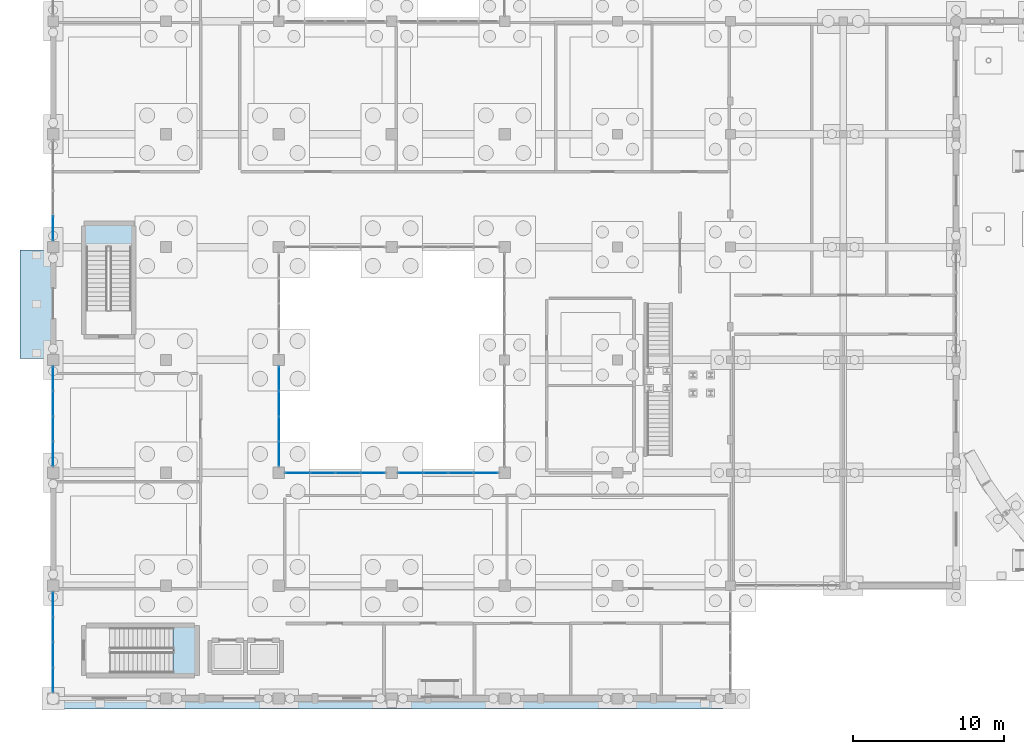
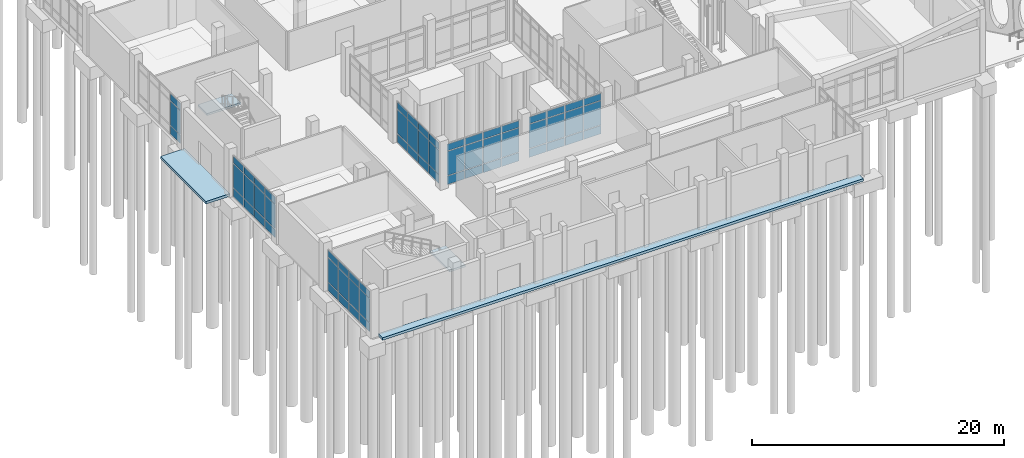
# One storey, part 124 of 173: 63 plates, 4 slabs, 8 elements without a shape of their own.
"""IFC4 building model written with IfcOpenShell, lengths in metres."""

import ifcopenshell
import ifcopenshell.guid

model = None  # the IFC model being written
_history = None  # IfcOwnerHistory: only IFC2X3 demands one
_inside = {}  # id of a spatial element -> (the spatial element, [elements in it])
_under = {}  # id of a project, library or spatial element -> (it, [spatial elements below it])
_declared = {}  # id of a project -> (the project, [libraries it declares])
_typed = {}  # id of a type object -> (the type object, [elements of that type])
_made_of = {}  # id of a material, layer set ... -> (it, [elements and type objects made of it])


def new_model(schema):
    """Start an empty IFC model of exactly this schema.

    Asked for "IFC4X3", IfcOpenShell would pick the latest addendum, in which some entities
    have other attributes; the version numbers below select the first issue.
    IFC2X3 requires an IfcOwnerHistory on every rooted entity: one is made here for all.
    """
    global model, _history
    if schema == "IFC4X3":
        model = ifcopenshell.file(schema_version=(4, 3, 0, 0))
    else:
        model = ifcopenshell.file(schema=schema)
    _inside.clear()
    _under.clear()
    _declared.clear()
    _typed.clear()
    _made_of.clear()
    _history = None
    if model.schema == "IFC2X3":
        org = make("IfcOrganization", Name="unknown")
        user = make(
            "IfcPersonAndOrganization",
            ThePerson=make("IfcPerson", FamilyName="unknown"),
            TheOrganization=org,
        )
        app = make(
            "IfcApplication",
            ApplicationDeveloper=org,
            Version="unknown",
            ApplicationFullName="unknown",
            ApplicationIdentifier="unknown",
        )
        _history = make(
            "IfcOwnerHistory",
            OwningUser=user,
            OwningApplication=app,
            ChangeAction="ADDED",
            CreationDate=0,
        )
    return model


def make(cls, **values):
    """One entity of the class cls with the attributes given. An attribute that is None is left unset."""
    return model.create_entity(
        cls, **{name: value for name, value in values.items() if value is not None}
    )


def rooted(cls, **values):
    """An entity with a GlobalId (a new one), such as an element, a storey or a relation."""
    return make(cls, GlobalId=ifcopenshell.guid.new(), OwnerHistory=_history, **values)


def si_unit(unit_type, name, prefix=None):
    """IfcSIUnit, for example si_unit("LENGTHUNIT", "METRE", prefix="MILLI")."""
    return make("IfcSIUnit", UnitType=unit_type, Prefix=prefix, Name=name)


def assignment(units):
    """IfcUnitAssignment: the units of a project."""
    return None if units is None else make("IfcUnitAssignment", Units=units)


def point(xyz):
    """IfcCartesianPoint."""
    return None if xyz is None else make("IfcCartesianPoint", Coordinates=xyz)


def direction(xyz):
    """IfcDirection."""
    return None if xyz is None else make("IfcDirection", DirectionRatios=xyz)


def frame(location, z_axis=None, x_axis=None):
    """IfcAxis2Placement3D, a coordinate frame: its origin and axes. An axis left out is left unset."""
    return make(
        "IfcAxis2Placement3D",
        Location=point(location),
        Axis=direction(z_axis),
        RefDirection=direction(x_axis),
    )


def frame_2d(location, x_axis=None):
    """IfcAxis2Placement2D, a coordinate frame in the plane: its origin and x axis."""
    return make(
        "IfcAxis2Placement2D", Location=point(location), RefDirection=direction(x_axis)
    )


def origin():
    """The frame at (0, 0, 0) with its axes left unset."""
    return frame((0.0, 0.0, 0.0))


def origin_2d():
    """The frame at (0, 0) in the plane with its x axis left unset."""
    return frame_2d((0.0, 0.0))


def place(relative_to, where):
    """IfcLocalPlacement: puts the frame where relative to a parent placement (None: the world)."""
    return make(
        "IfcLocalPlacement", PlacementRelTo=relative_to, RelativePlacement=where
    )


def context(
    kind, dimensions, precision=None, world=None, true_north=None, identifier=None
):
    """IfcGeometricRepresentationContext, for example the 3D "Model" context."""
    return make(
        "IfcGeometricRepresentationContext",
        ContextIdentifier=identifier,
        ContextType=kind,
        CoordinateSpaceDimension=dimensions,
        Precision=precision,
        WorldCoordinateSystem=world,
        TrueNorth=true_north,
    )


def subcontext(parent, identifier, kind, view, scale=None):
    """IfcGeometricRepresentationSubContext, for example "Body" below "Model"."""
    return make(
        "IfcGeometricRepresentationSubContext",
        ContextIdentifier=identifier,
        ContextType=kind,
        ParentContext=parent,
        TargetScale=scale,
        TargetView=view,
    )


def project(units=None, contexts=None):
    """IfcProject with its units and contexts."""
    return rooted(
        "IfcProject",
        Name="project",
        RepresentationContexts=contexts,
        UnitsInContext=assignment(units),
    )


def spatial(cls, under=None, at=None, **own):
    """A site, building, storey or space (cls), placed at a placement, below another one or the project."""
    s = rooted(cls, ObjectPlacement=at, **own)
    if under is not None:
        _under.setdefault(under.id(), (under, []))[1].append(s)
    return s


def polyline(points):
    """IfcPolyline through the points."""
    return make("IfcPolyline", Points=[point(p) for p in points])


def profile(cls, at=None, kind="AREA", **sizes):
    """A parametric profile (cls). Its sizes go by their IFC names, for example OverallWidth=200.0."""
    return make(cls, ProfileType=kind, Position=at, **sizes)


def rectangle(**sizes):
    """IfcRectangleProfileDef."""
    return profile("IfcRectangleProfileDef", **sizes)


def outline(outer, holes=None, kind="AREA"):
    """IfcArbitraryClosedProfileDef: a profile drawn as a closed curve; with holes, ...WithVoids."""
    if holes is None:
        return make("IfcArbitraryClosedProfileDef", ProfileType=kind, OuterCurve=outer)
    return make(
        "IfcArbitraryProfileDefWithVoids",
        ProfileType=kind,
        OuterCurve=outer,
        InnerCurves=holes,
    )


def extrude(swept, where, along, depth):
    """IfcExtrudedAreaSolid: the profile swept, set in the frame where, extruded along a direction by depth."""
    return make(
        "IfcExtrudedAreaSolid",
        SweptArea=swept,
        Position=where,
        ExtrudedDirection=direction(along),
        Depth=depth,
    )


def shape(context_of_items, identifier, shape_type, items):
    """IfcShapeRepresentation: the items that make up one representation, for example the "Body"."""
    return make(
        "IfcShapeRepresentation",
        ContextOfItems=context_of_items,
        RepresentationIdentifier=identifier,
        RepresentationType=shape_type,
        Items=items,
    )


def material(Name=None, Category=None):
    """IfcMaterial."""
    return make("IfcMaterial", Name=Name, Category=Category)


def layer(
    of_material, thickness, ventilated=None, Name=None, Category=None, Priority=None
):
    """IfcMaterialLayer: one layer of a wall or slab, of a material (None: an air gap)."""
    return make(
        "IfcMaterialLayer",
        Material=of_material,
        LayerThickness=thickness,
        IsVentilated=ventilated,
        Name=Name,
        Category=Category,
        Priority=Priority,
    )


def layer_set(layers, Name=None):
    """IfcMaterialLayerSet."""
    return make("IfcMaterialLayerSet", MaterialLayers=layers, LayerSetName=Name)


def made_of(thing, what):
    """Note that an element or type object is made of a material, layer set ...; save() writes the relation."""
    if what is not None:
        _made_of.setdefault(what.id(), (what, []))[1].append(thing)
    return thing


def type_object(cls, material=None, **own):
    """A type object (cls), such as IfcWallType, which elements share."""
    return made_of(rooted(cls, **own), material)


def element(
    cls,
    number,
    at=None,
    inside=None,
    cuts=None,
    type_object=None,
    material=None,
    context=None,
    identifier="Body",
    shape_type=None,
    held_by="IfcProductDefinitionShape",
    body=None,
    shapes=None,
    **own,
):
    """One element of the class cls, such as IfcWall. Its Tag is "e" and its number.

    at: its placement. inside: the storey or other place that contains it. cuts: it is an
    opening in that element (IfcRelVoidsElement). A single representation is given by context,
    identifier, shape_type and body (its items); several are given by shapes. held_by: the class
    of the entity that holds the representations. save() writes the other relations.
    """
    e = rooted(cls, Tag="e%d" % number, ObjectPlacement=at, **own)
    if body is not None:
        shapes = [shape(context, identifier, shape_type, body)]
    if shapes is not None:
        e.Representation = make(held_by, Representations=shapes)
    if inside is not None:
        _inside.setdefault(inside.id(), (inside, []))[1].append(e)
    if cuts is not None:
        rooted(
            "IfcRelVoidsElement", RelatingBuildingElement=cuts, RelatedOpeningElement=e
        )
    if type_object is not None:
        _typed.setdefault(type_object.id(), (type_object, []))[1].append(e)
    return made_of(e, material)


def aggregate(whole, parts):
    """IfcRelAggregates: a whole, such as a stair, and the parts it consists of."""
    return rooted("IfcRelAggregates", RelatingObject=whole, RelatedObjects=parts)


def save(model, path):
    """Write the relations noted so far, then the file.

    IfcRelAggregates (storeys below a building ...), IfcRelContainedInSpatialStructure (elements
    in a storey), IfcRelDefinesByType, IfcRelAssociatesMaterial and IfcRelDeclares: one each for
    every whole, place, type object, material and project.
    """
    for whole, parts in _under.values():
        aggregate(whole, parts)
    for where, things in _inside.values():
        rooted(
            "IfcRelContainedInSpatialStructure",
            RelatedElements=things,
            RelatingStructure=where,
        )
    for kind, things in _typed.values():
        rooted("IfcRelDefinesByType", RelatedObjects=things, RelatingType=kind)
    for what, things in _made_of.values():
        rooted("IfcRelAssociatesMaterial", RelatedObjects=things, RelatingMaterial=what)
    for by, libraries in _declared.values():
        rooted("IfcRelDeclares", RelatingContext=by, RelatedDefinitions=libraries)
    model.write(path)


model = new_model("IFC4")

# Units and contexts
model_context = context("Model", 3, precision=1e-05, world=origin(), true_north=direction((0.0, 1.0)))
body_context = subcontext(model_context, "Body", "Model", "MODEL_VIEW")
ifc_project = project(units=[si_unit("LENGTHUNIT", "METRE"), si_unit("AREAUNIT", "SQUARE_METRE"), si_unit("VOLUMEUNIT", "CUBIC_METRE"), si_unit("PLANEANGLEUNIT", "RADIAN"), si_unit("MASSUNIT", "GRAM", prefix="KILO")], contexts=[model_context])

# Site, building, storey
site_placement = place(None, origin())
site = spatial("IfcSite", under=ifc_project, at=site_placement, CompositionType="ELEMENT")
building_placement = place(site_placement, origin())
building = spatial("IfcBuilding", under=site, at=building_placement, Name="Mawjan Specialist Oncology Clinic", CompositionType="ELEMENT")
storey_placement = place(building_placement, origin())
storey = spatial("IfcBuildingStorey", under=building, at=storey_placement, Name="L00", CompositionType="ELEMENT", Elevation=0.0)

# Slabs
ifc_material_1 = material(Name="Concrete C40/50", Category="concrete")
ifc_layer_1 = layer(ifc_material_1, 0.25, Name="Concrete C40/50", Category="concrete")
ifc_layer_set_1 = layer_set([ifc_layer_1], Name="Concrete C40/50")
slab_type_1 = type_object("IfcSlabType", Name="AP-250", PredefinedType="BASESLAB", material=ifc_layer_set_1)
slab_1_placement = place(storey_placement, frame((0.0, 0.0, -0.25)))
element("IfcSlab", 1, at=slab_1_placement, inside=storey, type_object=slab_type_1, Name="Ground Exterior Paved Apron SLB-APR-S1", PredefinedType="BASESLAB", context=body_context, shape_type="SweptSolid", body=[
    extrude(outline(polyline([(0.5, 0.10009765625), (44.5, 0.10009765625), (44.5, 0.800048828125), (0.5, 0.800048828125), (0.5, 0.10009765625)])), origin(), (0.0, 0.0, 1.0), 0.25),
])
slab_2_placement = place(storey_placement, frame((0.0, 0.0, -0.25)))
element("IfcSlab", 2, at=slab_2_placement, inside=storey, type_object=slab_type_1, Name="Ground Exterior Paved Apron SLB-APR-W1", PredefinedType="BASESLAB", context=body_context, shape_type="SweptSolid", body=[
    extrude(outline(polyline([(-2.199951171875, 23.39990234375), (0.0, 23.39990234375), (0.0, 30.60009765625), (-2.199951171875, 30.60009765625), (-2.199951171875, 23.39990234375)])), origin(), (0.0, 0.0, 1.0), 0.25),
])

# Curtain wall, plates
ifc_material_2 = material(Name="Unitised spectrally selective aluminium curtain wall", Category="aluminium")
ifc_layer_2 = layer(ifc_material_2, 0.179931640625, Name="Unitised spectrally selective aluminium curtain wall", Category="aluminium")
ifc_layer_set_2 = layer_set([ifc_layer_2], Name="Unitised spectrally selective aluminium curtain wall")
curtain_wall_type = type_object("IfcCurtainWallType", Name="CW-02", PredefinedType="NOTDEFINED", material=ifc_layer_set_2)
curtain_wall_1_placement = place(storey_placement, origin())
curtain_wall_1 = element("IfcCurtainWall", 3, at=curtain_wall_1_placement, inside=storey, type_object=curtain_wall_type, Name="L00 Unitised Curtain Wall CW-L00-002", PredefinedType="NOTDEFINED")
ifc_material_3 = material(Name="Spectrally selective double low-E glazing", Category="glass")
ifc_layer_3 = layer(ifc_material_3, 0.035888671875, Name="Spectrally selective double low-E glazing", Category="glass")
ifc_layer_set_3 = layer_set([ifc_layer_3], Name="Spectrally selective double low-E glazing")
plate_type = type_object("IfcPlateType", Name="CW-P36", PredefinedType="CURTAIN_PANEL", material=ifc_layer_set_3)
plate_1_placement = place(storey_placement, frame((0.0, 2.050048828125, 0.06494140625), z_axis=(0.0, 0.0, 1.0), x_axis=(0.0, 1.0, 0.0)))
plate_1 = element("IfcPlate", 4, at=plate_1_placement, type_object=plate_type, Name="CW-02 panel 1.1", PredefinedType="CURTAIN_PANEL", context=body_context, shape_type="SweptSolid", body=[
    extrude(rectangle(XDim=1.580078125, YDim=0.035888671875, at=origin_2d()), origin(), (0.0, 0.0, 1.0), 0.802490234375),
])
plate_2_placement = place(storey_placement, frame((0.0, 2.050048828125, 0.9326171875), z_axis=(0.0, 0.0, 1.0), x_axis=(0.0, 1.0, 0.0)))
plate_2 = element("IfcPlate", 5, at=plate_2_placement, type_object=plate_type, Name="CW-02 panel 1.2", PredefinedType="CURTAIN_PANEL", context=body_context, shape_type="SweptSolid", body=[
    extrude(rectangle(XDim=1.580078125, YDim=0.035888671875, at=origin_2d()), origin(), (0.0, 0.0, 1.0), 2.320068359375),
])
plate_3_placement = place(storey_placement, frame((0.0, 2.050048828125, 3.3173828125), z_axis=(0.0, 0.0, 1.0), x_axis=(0.0, 1.0, 0.0)))
plate_3 = element("IfcPlate", 6, at=plate_3_placement, type_object=plate_type, Name="CW-02 panel 1.3", PredefinedType="CURTAIN_PANEL", context=body_context, shape_type="SweptSolid", body=[
    extrude(rectangle(XDim=1.580078125, YDim=0.035888671875, at=origin_2d()), origin(), (0.0, 0.0, 1.0), 0.652587890625),
])
plate_4_placement = place(storey_placement, frame((0.0, 3.711181640625, 0.06494140625), z_axis=(0.0, 0.0, 1.0), x_axis=(0.0, 1.0, 0.0)))
plate_4 = element("IfcPlate", 7, at=plate_4_placement, type_object=plate_type, Name="CW-02 panel 2.1", PredefinedType="CURTAIN_PANEL", context=body_context, shape_type="SweptSolid", body=[
    extrude(rectangle(XDim=1.612548828125, YDim=0.035888671875, at=origin_2d()), origin(), (0.0, 0.0, 1.0), 0.802490234375),
])
plate_5_placement = place(storey_placement, frame((0.0, 3.711181640625, 0.9326171875), z_axis=(0.0, 0.0, 1.0), x_axis=(0.0, 1.0, 0.0)))
plate_5 = element("IfcPlate", 8, at=plate_5_placement, type_object=plate_type, Name="CW-02 panel 2.2", PredefinedType="CURTAIN_PANEL", context=body_context, shape_type="SweptSolid", body=[
    extrude(rectangle(XDim=1.612548828125, YDim=0.035888671875, at=origin_2d()), origin(), (0.0, 0.0, 1.0), 2.320068359375),
])
plate_6_placement = place(storey_placement, frame((0.0, 3.711181640625, 3.3173828125), z_axis=(0.0, 0.0, 1.0), x_axis=(0.0, 1.0, 0.0)))
plate_6 = element("IfcPlate", 9, at=plate_6_placement, type_object=plate_type, Name="CW-02 panel 2.3", PredefinedType="CURTAIN_PANEL", context=body_context, shape_type="SweptSolid", body=[
    extrude(rectangle(XDim=1.612548828125, YDim=0.035888671875, at=origin_2d()), origin(), (0.0, 0.0, 1.0), 0.652587890625),
])
plate_7_placement = place(storey_placement, frame((0.0, 5.388671875, 0.06494140625), z_axis=(0.0, 0.0, 1.0), x_axis=(0.0, 1.0, 0.0)))
plate_7 = element("IfcPlate", 10, at=plate_7_placement, type_object=plate_type, Name="CW-02 panel 3.1", PredefinedType="CURTAIN_PANEL", context=body_context, shape_type="SweptSolid", body=[
    extrude(rectangle(XDim=1.612548828125, YDim=0.035888671875, at=origin_2d()), origin(), (0.0, 0.0, 1.0), 0.802490234375),
])
plate_8_placement = place(storey_placement, frame((0.0, 5.388671875, 0.9326171875), z_axis=(0.0, 0.0, 1.0), x_axis=(0.0, 1.0, 0.0)))
plate_8 = element("IfcPlate", 11, at=plate_8_placement, type_object=plate_type, Name="CW-02 panel 3.2", PredefinedType="CURTAIN_PANEL", context=body_context, shape_type="SweptSolid", body=[
    extrude(rectangle(XDim=1.612548828125, YDim=0.035888671875, at=origin_2d()), origin(), (0.0, 0.0, 1.0), 2.320068359375),
])
plate_9_placement = place(storey_placement, frame((0.0, 5.388671875, 3.3173828125), z_axis=(0.0, 0.0, 1.0), x_axis=(0.0, 1.0, 0.0)))
plate_9 = element("IfcPlate", 12, at=plate_9_placement, type_object=plate_type, Name="CW-02 panel 3.3", PredefinedType="CURTAIN_PANEL", context=body_context, shape_type="SweptSolid", body=[
    extrude(rectangle(XDim=1.612548828125, YDim=0.035888671875, at=origin_2d()), origin(), (0.0, 0.0, 1.0), 0.652587890625),
])
plate_10_placement = place(storey_placement, frame((0.0, 7.050048828125, 0.06494140625), z_axis=(0.0, 0.0, 1.0), x_axis=(0.0, 1.0, 0.0)))
plate_10 = element("IfcPlate", 13, at=plate_10_placement, type_object=plate_type, Name="CW-02 panel 4.1", PredefinedType="CURTAIN_PANEL", context=body_context, shape_type="SweptSolid", body=[
    extrude(rectangle(XDim=1.580078125, YDim=0.035888671875, at=origin_2d()), origin(), (0.0, 0.0, 1.0), 0.802490234375),
])
plate_11_placement = place(storey_placement, frame((0.0, 7.050048828125, 0.9326171875), z_axis=(0.0, 0.0, 1.0), x_axis=(0.0, 1.0, 0.0)))
plate_11 = element("IfcPlate", 14, at=plate_11_placement, type_object=plate_type, Name="CW-02 panel 4.2", PredefinedType="CURTAIN_PANEL", context=body_context, shape_type="SweptSolid", body=[
    extrude(rectangle(XDim=1.580078125, YDim=0.035888671875, at=origin_2d()), origin(), (0.0, 0.0, 1.0), 2.320068359375),
])
plate_12_placement = place(storey_placement, frame((0.0, 7.050048828125, 3.3173828125), z_axis=(0.0, 0.0, 1.0), x_axis=(0.0, 1.0, 0.0)))
plate_12 = element("IfcPlate", 15, at=plate_12_placement, type_object=plate_type, Name="CW-02 panel 4.3", PredefinedType="CURTAIN_PANEL", context=body_context, shape_type="SweptSolid", body=[
    extrude(rectangle(XDim=1.580078125, YDim=0.035888671875, at=origin_2d()), origin(), (0.0, 0.0, 1.0), 0.652587890625),
])
aggregate(curtain_wall_1, [plate_1, plate_2, plate_3, plate_4, plate_5, plate_6, plate_7, plate_8, plate_9, plate_10, plate_11, plate_12])

curtain_wall_2_placement = place(storey_placement, origin())
curtain_wall_2 = element("IfcCurtainWall", 16, at=curtain_wall_2_placement, inside=storey, type_object=curtain_wall_type, Name="L00 Unitised Curtain Wall CW-L00-003", PredefinedType="NOTDEFINED")
plate_13_placement = place(storey_placement, frame((0.0, 17.050048828125, 0.06494140625), z_axis=(0.0, 0.0, 1.0), x_axis=(0.0, 1.0, 0.0)))
plate_13 = element("IfcPlate", 17, at=plate_13_placement, type_object=plate_type, Name="CW-02 panel 1.1", PredefinedType="CURTAIN_PANEL", context=body_context, shape_type="SweptSolid", body=[
    extrude(rectangle(XDim=1.580078125, YDim=0.035888671875, at=origin_2d()), origin(), (0.0, 0.0, 1.0), 0.802490234375),
])
plate_14_placement = place(storey_placement, frame((0.0, 17.050048828125, 0.9326171875), z_axis=(0.0, 0.0, 1.0), x_axis=(0.0, 1.0, 0.0)))
plate_14 = element("IfcPlate", 18, at=plate_14_placement, type_object=plate_type, Name="CW-02 panel 1.2", PredefinedType="CURTAIN_PANEL", context=body_context, shape_type="SweptSolid", body=[
    extrude(rectangle(XDim=1.580078125, YDim=0.035888671875, at=origin_2d()), origin(), (0.0, 0.0, 1.0), 2.320068359375),
])
plate_15_placement = place(storey_placement, frame((0.0, 17.050048828125, 3.3173828125), z_axis=(0.0, 0.0, 1.0), x_axis=(0.0, 1.0, 0.0)))
plate_15 = element("IfcPlate", 19, at=plate_15_placement, type_object=plate_type, Name="CW-02 panel 1.3", PredefinedType="CURTAIN_PANEL", context=body_context, shape_type="SweptSolid", body=[
    extrude(rectangle(XDim=1.580078125, YDim=0.035888671875, at=origin_2d()), origin(), (0.0, 0.0, 1.0), 0.652587890625),
])
plate_16_placement = place(storey_placement, frame((0.0, 18.711181640625, 0.06494140625), z_axis=(0.0, 0.0, 1.0), x_axis=(0.0, 1.0, 0.0)))
plate_16 = element("IfcPlate", 20, at=plate_16_placement, type_object=plate_type, Name="CW-02 panel 2.1", PredefinedType="CURTAIN_PANEL", context=body_context, shape_type="SweptSolid", body=[
    extrude(rectangle(XDim=1.612548828125, YDim=0.035888671875, at=origin_2d()), origin(), (0.0, 0.0, 1.0), 0.802490234375),
])
plate_17_placement = place(storey_placement, frame((0.0, 18.711181640625, 0.9326171875), z_axis=(0.0, 0.0, 1.0), x_axis=(0.0, 1.0, 0.0)))
plate_17 = element("IfcPlate", 21, at=plate_17_placement, type_object=plate_type, Name="CW-02 panel 2.2", PredefinedType="CURTAIN_PANEL", context=body_context, shape_type="SweptSolid", body=[
    extrude(rectangle(XDim=1.612548828125, YDim=0.035888671875, at=origin_2d()), origin(), (0.0, 0.0, 1.0), 2.320068359375),
])
plate_18_placement = place(storey_placement, frame((0.0, 18.711181640625, 3.3173828125), z_axis=(0.0, 0.0, 1.0), x_axis=(0.0, 1.0, 0.0)))
plate_18 = element("IfcPlate", 22, at=plate_18_placement, type_object=plate_type, Name="CW-02 panel 2.3", PredefinedType="CURTAIN_PANEL", context=body_context, shape_type="SweptSolid", body=[
    extrude(rectangle(XDim=1.612548828125, YDim=0.035888671875, at=origin_2d()), origin(), (0.0, 0.0, 1.0), 0.652587890625),
])
plate_19_placement = place(storey_placement, frame((0.0, 20.388671875, 0.06494140625), z_axis=(0.0, 0.0, 1.0), x_axis=(0.0, 1.0, 0.0)))
plate_19 = element("IfcPlate", 23, at=plate_19_placement, type_object=plate_type, Name="CW-02 panel 3.1", PredefinedType="CURTAIN_PANEL", context=body_context, shape_type="SweptSolid", body=[
    extrude(rectangle(XDim=1.612548828125, YDim=0.035888671875, at=origin_2d()), origin(), (0.0, 0.0, 1.0), 0.802490234375),
])
plate_20_placement = place(storey_placement, frame((0.0, 20.388671875, 0.9326171875), z_axis=(0.0, 0.0, 1.0), x_axis=(0.0, 1.0, 0.0)))
plate_20 = element("IfcPlate", 24, at=plate_20_placement, type_object=plate_type, Name="CW-02 panel 3.2", PredefinedType="CURTAIN_PANEL", context=body_context, shape_type="SweptSolid", body=[
    extrude(rectangle(XDim=1.612548828125, YDim=0.035888671875, at=origin_2d()), origin(), (0.0, 0.0, 1.0), 2.320068359375),
])
plate_21_placement = place(storey_placement, frame((0.0, 20.388671875, 3.3173828125), z_axis=(0.0, 0.0, 1.0), x_axis=(0.0, 1.0, 0.0)))
plate_21 = element("IfcPlate", 25, at=plate_21_placement, type_object=plate_type, Name="CW-02 panel 3.3", PredefinedType="CURTAIN_PANEL", context=body_context, shape_type="SweptSolid", body=[
    extrude(rectangle(XDim=1.612548828125, YDim=0.035888671875, at=origin_2d()), origin(), (0.0, 0.0, 1.0), 0.652587890625),
])
plate_22_placement = place(storey_placement, frame((0.0, 22.050048828125, 0.06494140625), z_axis=(0.0, 0.0, 1.0), x_axis=(0.0, 1.0, 0.0)))
plate_22 = element("IfcPlate", 26, at=plate_22_placement, type_object=plate_type, Name="CW-02 panel 4.1", PredefinedType="CURTAIN_PANEL", context=body_context, shape_type="SweptSolid", body=[
    extrude(rectangle(XDim=1.580078125, YDim=0.035888671875, at=origin_2d()), origin(), (0.0, 0.0, 1.0), 0.802490234375),
])
plate_23_placement = place(storey_placement, frame((0.0, 22.050048828125, 0.9326171875), z_axis=(0.0, 0.0, 1.0), x_axis=(0.0, 1.0, 0.0)))
plate_23 = element("IfcPlate", 27, at=plate_23_placement, type_object=plate_type, Name="CW-02 panel 4.2", PredefinedType="CURTAIN_PANEL", context=body_context, shape_type="SweptSolid", body=[
    extrude(rectangle(XDim=1.580078125, YDim=0.035888671875, at=origin_2d()), origin(), (0.0, 0.0, 1.0), 2.320068359375),
])
plate_24_placement = place(storey_placement, frame((0.0, 22.050048828125, 3.3173828125), z_axis=(0.0, 0.0, 1.0), x_axis=(0.0, 1.0, 0.0)))
plate_24 = element("IfcPlate", 28, at=plate_24_placement, type_object=plate_type, Name="CW-02 panel 4.3", PredefinedType="CURTAIN_PANEL", context=body_context, shape_type="SweptSolid", body=[
    extrude(rectangle(XDim=1.580078125, YDim=0.035888671875, at=origin_2d()), origin(), (0.0, 0.0, 1.0), 0.652587890625),
])
aggregate(curtain_wall_2, [plate_13, plate_14, plate_15, plate_16, plate_17, plate_18, plate_19, plate_20, plate_21, plate_22, plate_23, plate_24])

curtain_wall_3_placement = place(storey_placement, origin())
curtain_wall_3 = element("IfcCurtainWall", 29, at=curtain_wall_3_placement, inside=storey, type_object=curtain_wall_type, Name="L00 Unitised Curtain Wall CW-L00-004", PredefinedType="NOTDEFINED")
plate_25_placement = place(storey_placement, frame((0.0, 32.050048828125, 0.06494140625), z_axis=(0.0, 0.0, 1.0), x_axis=(0.0, 1.0, 0.0)))
plate_25 = element("IfcPlate", 30, at=plate_25_placement, type_object=plate_type, Name="CW-02 panel 1.1", PredefinedType="CURTAIN_PANEL", context=body_context, shape_type="SweptSolid", body=[
    extrude(rectangle(XDim=1.580078125, YDim=0.035888671875, at=origin_2d()), origin(), (0.0, 0.0, 1.0), 0.802490234375),
])
plate_26_placement = place(storey_placement, frame((0.0, 32.050048828125, 0.9326171875), z_axis=(0.0, 0.0, 1.0), x_axis=(0.0, 1.0, 0.0)))
plate_26 = element("IfcPlate", 31, at=plate_26_placement, type_object=plate_type, Name="CW-02 panel 1.2", PredefinedType="CURTAIN_PANEL", context=body_context, shape_type="SweptSolid", body=[
    extrude(rectangle(XDim=1.580078125, YDim=0.035888671875, at=origin_2d()), origin(), (0.0, 0.0, 1.0), 2.320068359375),
])
plate_27_placement = place(storey_placement, frame((0.0, 32.050048828125, 3.3173828125), z_axis=(0.0, 0.0, 1.0), x_axis=(0.0, 1.0, 0.0)))
plate_27 = element("IfcPlate", 32, at=plate_27_placement, type_object=plate_type, Name="CW-02 panel 1.3", PredefinedType="CURTAIN_PANEL", context=body_context, shape_type="SweptSolid", body=[
    extrude(rectangle(XDim=1.580078125, YDim=0.035888671875, at=origin_2d()), origin(), (0.0, 0.0, 1.0), 0.652587890625),
])
aggregate(curtain_wall_3, [plate_25, plate_26, plate_27])

curtain_wall_4_placement = place(storey_placement, origin())
curtain_wall_4 = element("IfcCurtainWall", 33, at=curtain_wall_4_placement, inside=storey, type_object=curtain_wall_type, Name="L00 Unitised Curtain Wall CW-L00-048", PredefinedType="NOTDEFINED")
plate_28_placement = place(storey_placement, frame((16.25, 15.800048828125, 0.06494140625), z_axis=(0.0, 0.0, 1.0), x_axis=(1.0, 0.0, 0.0)))
plate_28 = element("IfcPlate", 34, at=plate_28_placement, type_object=plate_type, Name="CW-02 panel 1.1", PredefinedType="CURTAIN_PANEL", context=body_context, shape_type="SweptSolid", body=[
    extrude(rectangle(XDim=1.580078125, YDim=0.035888671875, at=origin_2d()), origin(), (0.0, 0.0, 1.0), 0.802490234375),
])
plate_29_placement = place(storey_placement, frame((16.25, 15.800048828125, 0.9326171875), z_axis=(0.0, 0.0, 1.0), x_axis=(1.0, 0.0, 0.0)))
plate_29 = element("IfcPlate", 35, at=plate_29_placement, type_object=plate_type, Name="CW-02 panel 1.2", PredefinedType="CURTAIN_PANEL", context=body_context, shape_type="SweptSolid", body=[
    extrude(rectangle(XDim=1.580078125, YDim=0.035888671875, at=origin_2d()), origin(), (0.0, 0.0, 1.0), 2.320068359375),
])
plate_30_placement = place(storey_placement, frame((16.25, 15.800048828125, 3.3173828125), z_axis=(0.0, 0.0, 1.0), x_axis=(1.0, 0.0, 0.0)))
plate_30 = element("IfcPlate", 36, at=plate_30_placement, type_object=plate_type, Name="CW-02 panel 1.3", PredefinedType="CURTAIN_PANEL", context=body_context, shape_type="SweptSolid", body=[
    extrude(rectangle(XDim=1.580078125, YDim=0.035888671875, at=origin_2d()), origin(), (0.0, 0.0, 1.0), 0.652587890625),
])
plate_31_placement = place(storey_placement, frame((17.9111328125, 15.800048828125, 0.06494140625), z_axis=(0.0, 0.0, 1.0), x_axis=(1.0, 0.0, 0.0)))
plate_31 = element("IfcPlate", 37, at=plate_31_placement, type_object=plate_type, Name="CW-02 panel 2.1", PredefinedType="CURTAIN_PANEL", context=body_context, shape_type="SweptSolid", body=[
    extrude(rectangle(XDim=1.612548828125, YDim=0.035888671875, at=origin_2d()), origin(), (0.0, 0.0, 1.0), 0.802490234375),
])
plate_32_placement = place(storey_placement, frame((17.9111328125, 15.800048828125, 0.9326171875), z_axis=(0.0, 0.0, 1.0), x_axis=(1.0, 0.0, 0.0)))
plate_32 = element("IfcPlate", 38, at=plate_32_placement, type_object=plate_type, Name="CW-02 panel 2.2", PredefinedType="CURTAIN_PANEL", context=body_context, shape_type="SweptSolid", body=[
    extrude(rectangle(XDim=1.612548828125, YDim=0.035888671875, at=origin_2d()), origin(), (0.0, 0.0, 1.0), 2.320068359375),
])
plate_33_placement = place(storey_placement, frame((17.9111328125, 15.800048828125, 3.3173828125), z_axis=(0.0, 0.0, 1.0), x_axis=(1.0, 0.0, 0.0)))
plate_33 = element("IfcPlate", 39, at=plate_33_placement, type_object=plate_type, Name="CW-02 panel 2.3", PredefinedType="CURTAIN_PANEL", context=body_context, shape_type="SweptSolid", body=[
    extrude(rectangle(XDim=1.612548828125, YDim=0.035888671875, at=origin_2d()), origin(), (0.0, 0.0, 1.0), 0.652587890625),
])
plate_34_placement = place(storey_placement, frame((19.5888671875, 15.800048828125, 0.06494140625), z_axis=(0.0, 0.0, 1.0), x_axis=(1.0, 0.0, 0.0)))
plate_34 = element("IfcPlate", 40, at=plate_34_placement, type_object=plate_type, Name="CW-02 panel 3.1", PredefinedType="CURTAIN_PANEL", context=body_context, shape_type="SweptSolid", body=[
    extrude(rectangle(XDim=1.612548828125, YDim=0.035888671875, at=origin_2d()), origin(), (0.0, 0.0, 1.0), 0.802490234375),
])
plate_35_placement = place(storey_placement, frame((19.5888671875, 15.800048828125, 0.9326171875), z_axis=(0.0, 0.0, 1.0), x_axis=(1.0, 0.0, 0.0)))
plate_35 = element("IfcPlate", 41, at=plate_35_placement, type_object=plate_type, Name="CW-02 panel 3.2", PredefinedType="CURTAIN_PANEL", context=body_context, shape_type="SweptSolid", body=[
    extrude(rectangle(XDim=1.612548828125, YDim=0.035888671875, at=origin_2d()), origin(), (0.0, 0.0, 1.0), 2.320068359375),
])
plate_36_placement = place(storey_placement, frame((19.5888671875, 15.800048828125, 3.3173828125), z_axis=(0.0, 0.0, 1.0), x_axis=(1.0, 0.0, 0.0)))
plate_36 = element("IfcPlate", 42, at=plate_36_placement, type_object=plate_type, Name="CW-02 panel 3.3", PredefinedType="CURTAIN_PANEL", context=body_context, shape_type="SweptSolid", body=[
    extrude(rectangle(XDim=1.612548828125, YDim=0.035888671875, at=origin_2d()), origin(), (0.0, 0.0, 1.0), 0.652587890625),
])
plate_37_placement = place(storey_placement, frame((21.25, 15.800048828125, 0.06494140625), z_axis=(0.0, 0.0, 1.0), x_axis=(1.0, 0.0, 0.0)))
plate_37 = element("IfcPlate", 43, at=plate_37_placement, type_object=plate_type, Name="CW-02 panel 4.1", PredefinedType="CURTAIN_PANEL", context=body_context, shape_type="SweptSolid", body=[
    extrude(rectangle(XDim=1.580078125, YDim=0.035888671875, at=origin_2d()), origin(), (0.0, 0.0, 1.0), 0.802490234375),
])
plate_38_placement = place(storey_placement, frame((21.25, 15.800048828125, 0.9326171875), z_axis=(0.0, 0.0, 1.0), x_axis=(1.0, 0.0, 0.0)))
plate_38 = element("IfcPlate", 44, at=plate_38_placement, type_object=plate_type, Name="CW-02 panel 4.2", PredefinedType="CURTAIN_PANEL", context=body_context, shape_type="SweptSolid", body=[
    extrude(rectangle(XDim=1.580078125, YDim=0.035888671875, at=origin_2d()), origin(), (0.0, 0.0, 1.0), 2.320068359375),
])
plate_39_placement = place(storey_placement, frame((21.25, 15.800048828125, 3.3173828125), z_axis=(0.0, 0.0, 1.0), x_axis=(1.0, 0.0, 0.0)))
plate_39 = element("IfcPlate", 45, at=plate_39_placement, type_object=plate_type, Name="CW-02 panel 4.3", PredefinedType="CURTAIN_PANEL", context=body_context, shape_type="SweptSolid", body=[
    extrude(rectangle(XDim=1.580078125, YDim=0.035888671875, at=origin_2d()), origin(), (0.0, 0.0, 1.0), 0.652587890625),
])
aggregate(curtain_wall_4, [plate_28, plate_29, plate_30, plate_31, plate_32, plate_33, plate_34, plate_35, plate_36, plate_37, plate_38, plate_39])

curtain_wall_5_placement = place(storey_placement, origin())
curtain_wall_5 = element("IfcCurtainWall", 46, at=curtain_wall_5_placement, inside=storey, type_object=curtain_wall_type, Name="L00 Unitised Curtain Wall CW-L00-049", PredefinedType="NOTDEFINED")
plate_40_placement = place(storey_placement, frame((23.75, 15.800048828125, 0.06494140625), z_axis=(0.0, 0.0, 1.0), x_axis=(1.0, 0.0, 0.0)))
plate_40 = element("IfcPlate", 47, at=plate_40_placement, type_object=plate_type, Name="CW-02 panel 1.1", PredefinedType="CURTAIN_PANEL", context=body_context, shape_type="SweptSolid", body=[
    extrude(rectangle(XDim=1.580078125, YDim=0.035888671875, at=origin_2d()), origin(), (0.0, 0.0, 1.0), 0.802490234375),
])
plate_41_placement = place(storey_placement, frame((23.75, 15.800048828125, 0.9326171875), z_axis=(0.0, 0.0, 1.0), x_axis=(1.0, 0.0, 0.0)))
plate_41 = element("IfcPlate", 48, at=plate_41_placement, type_object=plate_type, Name="CW-02 panel 1.2", PredefinedType="CURTAIN_PANEL", context=body_context, shape_type="SweptSolid", body=[
    extrude(rectangle(XDim=1.580078125, YDim=0.035888671875, at=origin_2d()), origin(), (0.0, 0.0, 1.0), 2.320068359375),
])
plate_42_placement = place(storey_placement, frame((23.75, 15.800048828125, 3.3173828125), z_axis=(0.0, 0.0, 1.0), x_axis=(1.0, 0.0, 0.0)))
plate_42 = element("IfcPlate", 49, at=plate_42_placement, type_object=plate_type, Name="CW-02 panel 1.3", PredefinedType="CURTAIN_PANEL", context=body_context, shape_type="SweptSolid", body=[
    extrude(rectangle(XDim=1.580078125, YDim=0.035888671875, at=origin_2d()), origin(), (0.0, 0.0, 1.0), 0.652587890625),
])
plate_43_placement = place(storey_placement, frame((25.4111328125, 15.800048828125, 0.06494140625), z_axis=(0.0, 0.0, 1.0), x_axis=(1.0, 0.0, 0.0)))
plate_43 = element("IfcPlate", 50, at=plate_43_placement, type_object=plate_type, Name="CW-02 panel 2.1", PredefinedType="CURTAIN_PANEL", context=body_context, shape_type="SweptSolid", body=[
    extrude(rectangle(XDim=1.612548828125, YDim=0.035888671875, at=origin_2d()), origin(), (0.0, 0.0, 1.0), 0.802490234375),
])
plate_44_placement = place(storey_placement, frame((25.4111328125, 15.800048828125, 0.9326171875), z_axis=(0.0, 0.0, 1.0), x_axis=(1.0, 0.0, 0.0)))
plate_44 = element("IfcPlate", 51, at=plate_44_placement, type_object=plate_type, Name="CW-02 panel 2.2", PredefinedType="CURTAIN_PANEL", context=body_context, shape_type="SweptSolid", body=[
    extrude(rectangle(XDim=1.612548828125, YDim=0.035888671875, at=origin_2d()), origin(), (0.0, 0.0, 1.0), 2.320068359375),
])
plate_45_placement = place(storey_placement, frame((25.4111328125, 15.800048828125, 3.3173828125), z_axis=(0.0, 0.0, 1.0), x_axis=(1.0, 0.0, 0.0)))
plate_45 = element("IfcPlate", 52, at=plate_45_placement, type_object=plate_type, Name="CW-02 panel 2.3", PredefinedType="CURTAIN_PANEL", context=body_context, shape_type="SweptSolid", body=[
    extrude(rectangle(XDim=1.612548828125, YDim=0.035888671875, at=origin_2d()), origin(), (0.0, 0.0, 1.0), 0.652587890625),
])
plate_46_placement = place(storey_placement, frame((27.0888671875, 15.800048828125, 0.06494140625), z_axis=(0.0, 0.0, 1.0), x_axis=(1.0, 0.0, 0.0)))
plate_46 = element("IfcPlate", 53, at=plate_46_placement, type_object=plate_type, Name="CW-02 panel 3.1", PredefinedType="CURTAIN_PANEL", context=body_context, shape_type="SweptSolid", body=[
    extrude(rectangle(XDim=1.612548828125, YDim=0.035888671875, at=origin_2d()), origin(), (0.0, 0.0, 1.0), 0.802490234375),
])
plate_47_placement = place(storey_placement, frame((27.0888671875, 15.800048828125, 0.9326171875), z_axis=(0.0, 0.0, 1.0), x_axis=(1.0, 0.0, 0.0)))
plate_47 = element("IfcPlate", 54, at=plate_47_placement, type_object=plate_type, Name="CW-02 panel 3.2", PredefinedType="CURTAIN_PANEL", context=body_context, shape_type="SweptSolid", body=[
    extrude(rectangle(XDim=1.612548828125, YDim=0.035888671875, at=origin_2d()), origin(), (0.0, 0.0, 1.0), 2.320068359375),
])
plate_48_placement = place(storey_placement, frame((27.0888671875, 15.800048828125, 3.3173828125), z_axis=(0.0, 0.0, 1.0), x_axis=(1.0, 0.0, 0.0)))
plate_48 = element("IfcPlate", 55, at=plate_48_placement, type_object=plate_type, Name="CW-02 panel 3.3", PredefinedType="CURTAIN_PANEL", context=body_context, shape_type="SweptSolid", body=[
    extrude(rectangle(XDim=1.612548828125, YDim=0.035888671875, at=origin_2d()), origin(), (0.0, 0.0, 1.0), 0.652587890625),
])
plate_49_placement = place(storey_placement, frame((28.75, 15.800048828125, 0.06494140625), z_axis=(0.0, 0.0, 1.0), x_axis=(1.0, 0.0, 0.0)))
plate_49 = element("IfcPlate", 56, at=plate_49_placement, type_object=plate_type, Name="CW-02 panel 4.1", PredefinedType="CURTAIN_PANEL", context=body_context, shape_type="SweptSolid", body=[
    extrude(rectangle(XDim=1.580078125, YDim=0.035888671875, at=origin_2d()), origin(), (0.0, 0.0, 1.0), 0.802490234375),
])
plate_50_placement = place(storey_placement, frame((28.75, 15.800048828125, 0.9326171875), z_axis=(0.0, 0.0, 1.0), x_axis=(1.0, 0.0, 0.0)))
plate_50 = element("IfcPlate", 57, at=plate_50_placement, type_object=plate_type, Name="CW-02 panel 4.2", PredefinedType="CURTAIN_PANEL", context=body_context, shape_type="SweptSolid", body=[
    extrude(rectangle(XDim=1.580078125, YDim=0.035888671875, at=origin_2d()), origin(), (0.0, 0.0, 1.0), 2.320068359375),
])
plate_51_placement = place(storey_placement, frame((28.75, 15.800048828125, 3.3173828125), z_axis=(0.0, 0.0, 1.0), x_axis=(1.0, 0.0, 0.0)))
plate_51 = element("IfcPlate", 58, at=plate_51_placement, type_object=plate_type, Name="CW-02 panel 4.3", PredefinedType="CURTAIN_PANEL", context=body_context, shape_type="SweptSolid", body=[
    extrude(rectangle(XDim=1.580078125, YDim=0.035888671875, at=origin_2d()), origin(), (0.0, 0.0, 1.0), 0.652587890625),
])
aggregate(curtain_wall_5, [plate_40, plate_41, plate_42, plate_43, plate_44, plate_45, plate_46, plate_47, plate_48, plate_49, plate_50, plate_51])

curtain_wall_6_placement = place(storey_placement, origin())
curtain_wall_6 = element("IfcCurtainWall", 59, at=curtain_wall_6_placement, inside=storey, type_object=curtain_wall_type, Name="L00 Unitised Curtain Wall CW-L00-055", PredefinedType="NOTDEFINED")
plate_52_placement = place(storey_placement, frame((15.0, 22.050048828125, 0.06494140625), z_axis=(0.0, 0.0, 1.0), x_axis=(0.0, -1.0, 0.0)))
plate_52 = element("IfcPlate", 60, at=plate_52_placement, type_object=plate_type, Name="CW-02 panel 1.1", PredefinedType="CURTAIN_PANEL", context=body_context, shape_type="SweptSolid", body=[
    extrude(rectangle(XDim=1.580078125, YDim=0.035888671875, at=origin_2d()), origin(), (0.0, 0.0, 1.0), 0.802490234375),
])
plate_53_placement = place(storey_placement, frame((15.0, 22.050048828125, 0.9326171875), z_axis=(0.0, 0.0, 1.0), x_axis=(0.0, -1.0, 0.0)))
plate_53 = element("IfcPlate", 61, at=plate_53_placement, type_object=plate_type, Name="CW-02 panel 1.2", PredefinedType="CURTAIN_PANEL", context=body_context, shape_type="SweptSolid", body=[
    extrude(rectangle(XDim=1.580078125, YDim=0.035888671875, at=origin_2d()), origin(), (0.0, 0.0, 1.0), 2.320068359375),
])
plate_54_placement = place(storey_placement, frame((15.0, 22.050048828125, 3.3173828125), z_axis=(0.0, 0.0, 1.0), x_axis=(0.0, -1.0, 0.0)))
plate_54 = element("IfcPlate", 62, at=plate_54_placement, type_object=plate_type, Name="CW-02 panel 1.3", PredefinedType="CURTAIN_PANEL", context=body_context, shape_type="SweptSolid", body=[
    extrude(rectangle(XDim=1.580078125, YDim=0.035888671875, at=origin_2d()), origin(), (0.0, 0.0, 1.0), 0.652587890625),
])
plate_55_placement = place(storey_placement, frame((15.0, 20.388671875, 0.06494140625), z_axis=(0.0, 0.0, 1.0), x_axis=(0.0, -1.0, 0.0)))
plate_55 = element("IfcPlate", 63, at=plate_55_placement, type_object=plate_type, Name="CW-02 panel 2.1", PredefinedType="CURTAIN_PANEL", context=body_context, shape_type="SweptSolid", body=[
    extrude(rectangle(XDim=1.612548828125, YDim=0.035888671875, at=origin_2d()), origin(), (0.0, 0.0, 1.0), 0.802490234375),
])
plate_56_placement = place(storey_placement, frame((15.0, 20.388671875, 0.9326171875), z_axis=(0.0, 0.0, 1.0), x_axis=(0.0, -1.0, 0.0)))
plate_56 = element("IfcPlate", 64, at=plate_56_placement, type_object=plate_type, Name="CW-02 panel 2.2", PredefinedType="CURTAIN_PANEL", context=body_context, shape_type="SweptSolid", body=[
    extrude(rectangle(XDim=1.612548828125, YDim=0.035888671875, at=origin_2d()), origin(), (0.0, 0.0, 1.0), 2.320068359375),
])
plate_57_placement = place(storey_placement, frame((15.0, 20.388671875, 3.3173828125), z_axis=(0.0, 0.0, 1.0), x_axis=(0.0, -1.0, 0.0)))
plate_57 = element("IfcPlate", 65, at=plate_57_placement, type_object=plate_type, Name="CW-02 panel 2.3", PredefinedType="CURTAIN_PANEL", context=body_context, shape_type="SweptSolid", body=[
    extrude(rectangle(XDim=1.612548828125, YDim=0.035888671875, at=origin_2d()), origin(), (0.0, 0.0, 1.0), 0.652587890625),
])
plate_58_placement = place(storey_placement, frame((15.0, 18.711181640625, 0.06494140625), z_axis=(0.0, 0.0, 1.0), x_axis=(0.0, -1.0, 0.0)))
plate_58 = element("IfcPlate", 66, at=plate_58_placement, type_object=plate_type, Name="CW-02 panel 3.1", PredefinedType="CURTAIN_PANEL", context=body_context, shape_type="SweptSolid", body=[
    extrude(rectangle(XDim=1.612548828125, YDim=0.035888671875, at=origin_2d()), origin(), (0.0, 0.0, 1.0), 0.802490234375),
])
plate_59_placement = place(storey_placement, frame((15.0, 18.711181640625, 0.9326171875), z_axis=(0.0, 0.0, 1.0), x_axis=(0.0, -1.0, 0.0)))
plate_59 = element("IfcPlate", 67, at=plate_59_placement, type_object=plate_type, Name="CW-02 panel 3.2", PredefinedType="CURTAIN_PANEL", context=body_context, shape_type="SweptSolid", body=[
    extrude(rectangle(XDim=1.612548828125, YDim=0.035888671875, at=origin_2d()), origin(), (0.0, 0.0, 1.0), 2.320068359375),
])
plate_60_placement = place(storey_placement, frame((15.0, 18.711181640625, 3.3173828125), z_axis=(0.0, 0.0, 1.0), x_axis=(0.0, -1.0, 0.0)))
plate_60 = element("IfcPlate", 68, at=plate_60_placement, type_object=plate_type, Name="CW-02 panel 3.3", PredefinedType="CURTAIN_PANEL", context=body_context, shape_type="SweptSolid", body=[
    extrude(rectangle(XDim=1.612548828125, YDim=0.035888671875, at=origin_2d()), origin(), (0.0, 0.0, 1.0), 0.652587890625),
])
plate_61_placement = place(storey_placement, frame((15.0, 17.050048828125, 0.06494140625), z_axis=(0.0, 0.0, 1.0), x_axis=(0.0, -1.0, 0.0)))
plate_61 = element("IfcPlate", 69, at=plate_61_placement, type_object=plate_type, Name="CW-02 panel 4.1", PredefinedType="CURTAIN_PANEL", context=body_context, shape_type="SweptSolid", body=[
    extrude(rectangle(XDim=1.580078125, YDim=0.035888671875, at=origin_2d()), origin(), (0.0, 0.0, 1.0), 0.802490234375),
])
plate_62_placement = place(storey_placement, frame((15.0, 17.050048828125, 0.9326171875), z_axis=(0.0, 0.0, 1.0), x_axis=(0.0, -1.0, 0.0)))
plate_62 = element("IfcPlate", 70, at=plate_62_placement, type_object=plate_type, Name="CW-02 panel 4.2", PredefinedType="CURTAIN_PANEL", context=body_context, shape_type="SweptSolid", body=[
    extrude(rectangle(XDim=1.580078125, YDim=0.035888671875, at=origin_2d()), origin(), (0.0, 0.0, 1.0), 2.320068359375),
])
plate_63_placement = place(storey_placement, frame((15.0, 17.050048828125, 3.3173828125), z_axis=(0.0, 0.0, 1.0), x_axis=(0.0, -1.0, 0.0)))
plate_63 = element("IfcPlate", 71, at=plate_63_placement, type_object=plate_type, Name="CW-02 panel 4.3", PredefinedType="CURTAIN_PANEL", context=body_context, shape_type="SweptSolid", body=[
    extrude(rectangle(XDim=1.580078125, YDim=0.035888671875, at=origin_2d()), origin(), (0.0, 0.0, 1.0), 0.652587890625),
])
aggregate(curtain_wall_6, [plate_52, plate_53, plate_54, plate_55, plate_56, plate_57, plate_58, plate_59, plate_60, plate_61, plate_62, plate_63])

# Stair, slab
ifc_material_4 = material(Name="Concrete C35/45", Category="concrete")
stair_type = type_object("IfcStairType", Name="STR-CORE50", PredefinedType="HALF_TURN_STAIR", material=ifc_material_4)
stair_1_placement = place(storey_placement, origin())
stair_1 = element("IfcStair", 72, at=stair_1_placement, inside=storey, type_object=stair_type, Name="L00 Exit Stair ST-01", PredefinedType="HALF_TURN_STAIR")
ifc_material_5 = material(Name="Concrete C35/45", Category="concrete")
ifc_layer_4 = layer(ifc_material_5, 0.199951171875, Name="Concrete C35/45", Category="concrete")
ifc_layer_set_4 = layer_set([ifc_layer_4], Name="Concrete C35/45")
slab_type_2 = type_object("IfcSlabType", Name="LND-200", PredefinedType="LANDING", material=ifc_layer_set_4)
slab_3_placement = place(storey_placement, frame((0.0, 0.0, 2.300048828125)))
slab_3 = element("IfcSlab", 73, at=slab_3_placement, type_object=slab_type_2, Name="ST-01 landing 1", PredefinedType="LANDING", context=body_context, shape_type="SweptSolid", body=[
    extrude(outline(polyline([(7.974609375, 2.445556640625), (9.42529296875, 2.445556640625), (9.42529296875, 5.554443359375), (7.974609375, 5.554443359375), (7.974609375, 2.445556640625)])), origin(), (0.0, 0.0, 1.0), 0.199951171875),
])
aggregate(stair_1, [slab_3])

stair_2_placement = place(storey_placement, origin())
stair_2 = element("IfcStair", 74, at=stair_2_placement, inside=storey, type_object=stair_type, Name="L00 Exit Stair ST-02", PredefinedType="HALF_TURN_STAIR")
slab_4_placement = place(storey_placement, frame((0.0, 0.0, 2.300048828125)))
slab_4 = element("IfcSlab", 75, at=slab_4_placement, type_object=slab_type_2, Name="ST-02 landing 1", PredefinedType="LANDING", context=body_context, shape_type="SweptSolid", body=[
    extrude(outline(polyline([(5.25439453125, 30.774658203125), (5.25439453125, 32.225341796875), (2.1455078125, 32.225341796875), (2.1455078125, 30.774658203125), (5.25439453125, 30.774658203125)])), origin(), (0.0, 0.0, 1.0), 0.199951171875),
])
aggregate(stair_2, [slab_4])

save(model, "model.ifc")
